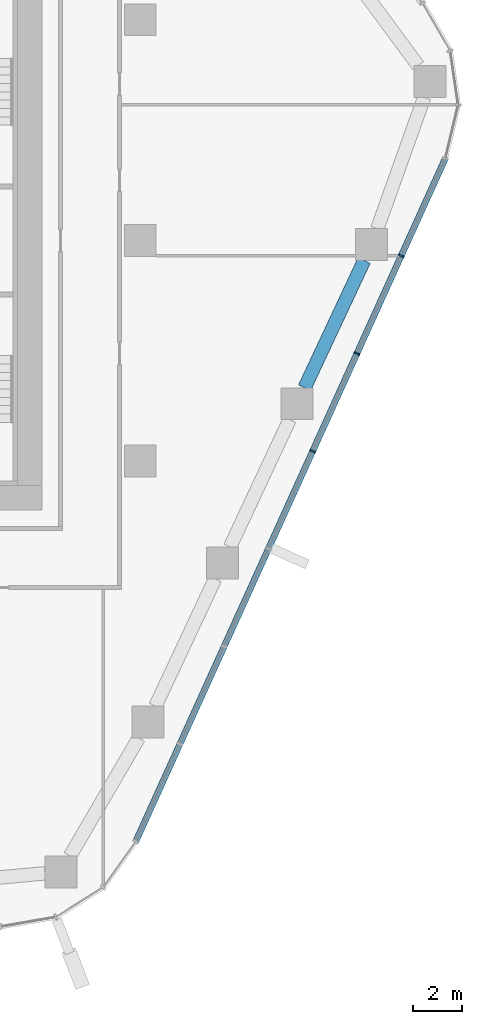
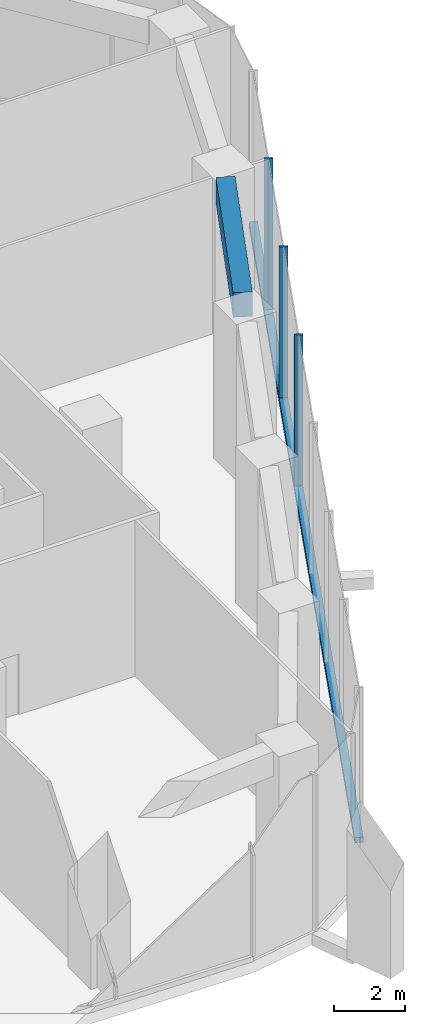
# One storey, part 4 of 18: 4 members, 1 beam, 1 element without a shape of its own.
"""IFC4 building model written with IfcOpenShell, lengths in metres."""

from ifc_helpers import new_model, si_unit, direction, frame, origin, origin_2d, place, context, subcontext, project, spatial, rectangle, extrude, material, layer, layer_set, material_profile, profile_set, type_object, element, aggregate, save


model = new_model("IFC4")

# Units and contexts
model_context = context("Model", 3, precision=1e-05, world=origin(), true_north=direction((0.0, 1.0)))
body_context = subcontext(model_context, "Body", "Model", "MODEL_VIEW")
ifc_project = project(units=[si_unit("LENGTHUNIT", "METRE"), si_unit("AREAUNIT", "SQUARE_METRE"), si_unit("VOLUMEUNIT", "CUBIC_METRE"), si_unit("PLANEANGLEUNIT", "RADIAN"), si_unit("MASSUNIT", "GRAM", prefix="KILO")], contexts=[model_context])

# Site, building, storey
site_placement = place(None, origin())
site = spatial("IfcSite", under=ifc_project, at=site_placement, CompositionType="ELEMENT")
building_placement = place(site_placement, origin())
building = spatial("IfcBuilding", under=site, at=building_placement, Name="Dongbaek Canopy Tower", CompositionType="ELEMENT")
storey_placement = place(building_placement, frame((0.0, 0.0, 139.60009765625)))
storey = spatial("IfcBuildingStorey", under=building, at=storey_placement, Name="L31", CompositionType="ELEMENT", Elevation=139.60009765625)

# Curtain wall, members
ifc_material_1 = material(Name="Aluminium 6063-T6 pale anodised", Category="aluminium")
ifc_layer = layer(ifc_material_1, 0.25)
ifc_layer_set = layer_set([ifc_layer], Name="CW-4 sky-lobby curtain wall")
curtain_wall_type = type_object("IfcCurtainWallType", Name="CW-4 sky-lobby curtain wall", PredefinedType="NOTDEFINED", material=ifc_layer_set)
curtain_wall_placement = place(storey_placement, origin())
curtain_wall = element("IfcCurtainWall", 1, at=curtain_wall_placement, inside=storey, type_object=curtain_wall_type, Name="CW-4 curtain wall F5.1", PredefinedType="NOTDEFINED")
ifc_material_2 = material(Name="Aluminium 6063-T6 pale anodised", Category="aluminium")
ifc_material_profile_1 = material_profile(ifc_material_2, rectangle(XDim=0.25, YDim=0.070068359375, at=origin_2d()), Name="CW-4 mullion 70 x 250")
ifc_profile_set_1 = profile_set([ifc_material_profile_1], Name="Aluminium 6063-T6 pale anodised")
member_type_1 = type_object("IfcMemberType", Name="CW-4 mullion 70 x 250", PredefinedType="MULLION", material=ifc_profile_set_1)
member_1_placement = place(storey_placement, frame((25.032470703125, -8.5927734375, 0.179931640625), z_axis=(0.0, 0.0, 1.0), x_axis=(0.910819679597, -0.412804446752, 0.0)))
member_1 = element("IfcMember", 2, at=member_1_placement, type_object=member_type_1, Name="CW-4 mullion F5.1.5", PredefinedType="MULLION", context=body_context, shape_type="SweptSolid", body=[
    extrude(rectangle(XDim=0.25, YDim=0.070068359375, at=origin_2d()), origin(), (0.0, 0.0, 1.0), 5.219970703125),
])
member_2_placement = place(storey_placement, frame((26.837646484375, -4.60986328125, 0.179931640625), z_axis=(0.0, 0.0, 1.0), x_axis=(0.910819679597, -0.412804446752, 0.0)))
member_2 = element("IfcMember", 3, at=member_2_placement, type_object=member_type_1, Name="CW-4 mullion F5.1.6", PredefinedType="MULLION", context=body_context, shape_type="SweptSolid", body=[
    extrude(rectangle(XDim=0.25, YDim=0.070068359375, at=origin_2d()), origin(), (0.0, 0.0, 1.0), 5.219970703125),
])
member_3_placement = place(storey_placement, frame((28.642822265625, -0.626953125, 0.179931640625), z_axis=(0.0, 0.0, 1.0), x_axis=(0.910819679597, -0.412804446752, 0.0)))
member_3 = element("IfcMember", 4, at=member_3_placement, type_object=member_type_1, Name="CW-4 mullion F5.1.7", PredefinedType="MULLION", context=body_context, shape_type="SweptSolid", body=[
    extrude(rectangle(XDim=0.25, YDim=0.070068359375, at=origin_2d()), origin(), (0.0, 0.0, 1.0), 5.219970703125),
])
ifc_material_3 = material(Name="Aluminium 6063-T6 pale anodised", Category="aluminium")
ifc_material_profile_2 = material_profile(ifc_material_3, rectangle(XDim=0.25, YDim=0.179931640625, at=origin_2d()), Name="CW-4 transom 180 x 250")
ifc_profile_set_2 = profile_set([ifc_material_profile_2], Name="Aluminium 6063-T6 pale anodised")
member_type_2 = type_object("IfcMemberType", Name="CW-4 transom 180 x 250", PredefinedType="USERDEFINED", material=ifc_profile_set_2)
member_4_placement = place(storey_placement, frame((17.81591796875, -24.515625, 0.08984375), z_axis=(0.412800934444, 0.910821271448, 0.0), x_axis=(-0.910821271448, 0.412800934444, 0.0)))
member_4 = element("IfcMember", 5, at=member_4_placement, type_object=member_type_2, Name="CW-4 transom F5.1.1", ObjectType="TRANSOM", PredefinedType="USERDEFINED", context=body_context, shape_type="SweptSolid", body=[
    extrude(rectangle(XDim=0.25, YDim=0.179931640625, at=origin_2d()), origin(), (0.0, 0.0, 1.0), 30.5908203125),
])
aggregate(curtain_wall, [member_1, member_2, member_3, member_4])

# Beam
ifc_material_4 = material(Name="Concrete C80", Category="concrete")
ifc_material_profile_3 = material_profile(ifc_material_4, rectangle(XDim=0.550048828125, YDim=0.85009765625, at=origin_2d()), Name="RC EDGE BEAM 550x850 C80")
ifc_profile_set_3 = profile_set([ifc_material_profile_3], Name="Concrete C80")
beam_type = type_object("IfcBeamType", Name="RC EDGE BEAM 550x850 C80", PredefinedType="BEAM", material=ifc_profile_set_3)
beam_placement = place(storey_placement, frame((27.131591796875, -0.81494140625, 4.974853515625), z_axis=(-0.424053070164, -0.90563734115, 0.0), x_axis=(0.90563734115, -0.424053070164, 0.0)))
element("IfcBeam", 6, at=beam_placement, inside=storey, type_object=beam_type, Name="EDGEBEAM:L31:22", PredefinedType="BEAM", context=body_context, shape_type="SweptSolid", body=[
    extrude(rectangle(XDim=0.550048828125, YDim=0.85009765625, at=origin_2d()), origin(), (0.0, 0.0, 1.0), 5.733154296875),
])

save(model, "model.ifc")
